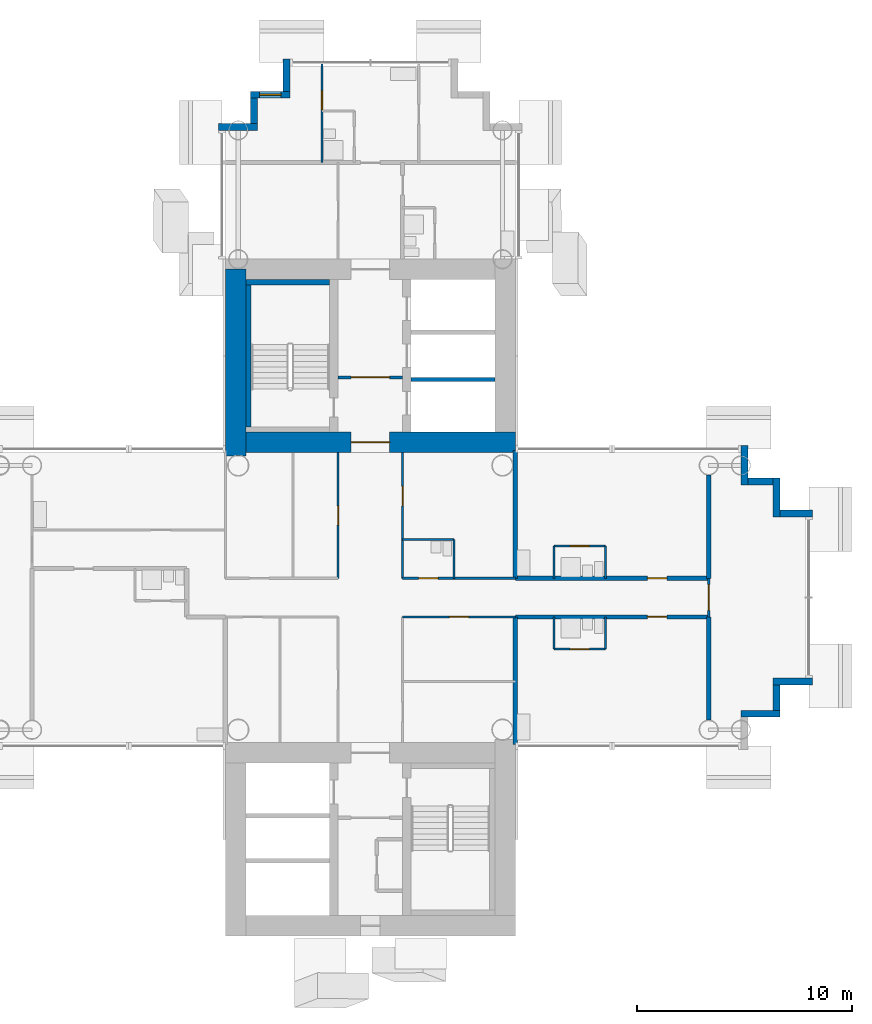
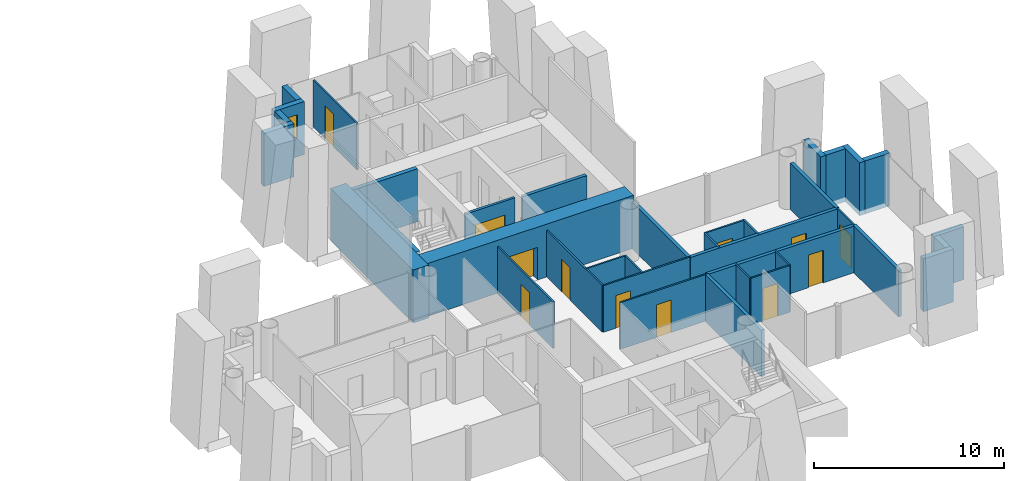
# One storey, part 13 of 21: 37 walls, 12 doors, 1 window, 13 openings.
"""IFC4 building model written with IfcOpenShell, lengths in metres."""

from ifc_helpers import new_model, si_unit, direction, frame, frame_2d, origin, place, context, subcontext, project, spatial, rectangle, extrude, material, layer, layer_set, type_object, element, fill, save


model = new_model("IFC4")

# Units and contexts
model_context = context("Model", 3, precision=1e-05, world=origin(), true_north=direction((0.0, 1.0)))
body_context = subcontext(model_context, "Body", "Model", "MODEL_VIEW")
ifc_project = project(units=[si_unit("LENGTHUNIT", "METRE"), si_unit("AREAUNIT", "SQUARE_METRE"), si_unit("VOLUMEUNIT", "CUBIC_METRE"), si_unit("PLANEANGLEUNIT", "RADIAN"), si_unit("MASSUNIT", "GRAM", prefix="KILO")], contexts=[model_context])

# Site, building, storey
site_placement = place(None, origin())
site = spatial("IfcSite", under=ifc_project, at=site_placement, CompositionType="ELEMENT")
building_placement = place(site_placement, origin())
building = spatial("IfcBuilding", under=site, at=building_placement, Name="Ipe Terrace Towers", CompositionType="ELEMENT")
storey_placement = place(building_placement, frame((0.0, 0.0, 86.800048828125)))
storey = spatial("IfcBuildingStorey", under=building, at=storey_placement, Name="L23", CompositionType="ELEMENT", Elevation=86.800048828125)

# Walls
ifc_material_1 = material(Name="Concrete C40/50 with buff precast cladding", Category="concrete")
ifc_layer_1 = layer(ifc_material_1, 0.320068359375)
ifc_layer_set_1 = layer_set([ifc_layer_1], Name="BUFF CLADDING WALL 320")
wall_type_1 = type_object("IfcWallType", Name="BUFF CLADDING WALL 320", PredefinedType="STANDARD", material=ifc_layer_set_1)
wall_1_placement = place(storey_placement, frame((53.25, -5.409912109375, -0.300048828125), z_axis=(0.0, 0.0, 1.0), x_axis=(1.0, 0.0, 0.0)))
element("IfcWall", 1, at=wall_1_placement, inside=storey, type_object=wall_type_1, Name="T2-W-L23-05a wall", PredefinedType="STANDARD", context=body_context, shape_type="SweptSolid", body=[
    extrude(rectangle(XDim=1.820068359375, YDim=0.320068359375, at=frame_2d((0.91015625, 0.0))), origin(), (0.0, 0.0, 1.0), 3.39990234375),
])
wall_2_placement = place(storey_placement, frame((54.909912109375, -5.25, -0.300048828125), z_axis=(0.0, 0.0, 1.0), x_axis=(0.0, 1.0, 0.0)))
element("IfcWall", 2, at=wall_2_placement, inside=storey, type_object=wall_type_1, Name="T2-W-L23-06a wall", PredefinedType="STANDARD", context=body_context, shape_type="SweptSolid", body=[
    extrude(rectangle(XDim=1.179931640625, YDim=0.320068359375, at=frame_2d((0.58984375, 0.0))), origin(), (0.0, 0.0, 1.0), 3.39990234375),
])
wall_3_placement = place(storey_placement, frame((54.75, -3.909912109375, -0.300048828125), z_axis=(0.0, 0.0, 1.0), x_axis=(1.0, 0.0, 0.0)))
element("IfcWall", 3, at=wall_3_placement, inside=storey, type_object=wall_type_1, Name="T2-W-L23-07a wall", PredefinedType="STANDARD", context=body_context, shape_type="SweptSolid", body=[
    extrude(rectangle(XDim=1.820068359375, YDim=0.320068359375, at=frame_2d((0.91015625, 0.0))), origin(), (0.0, 0.0, 1.0), 3.39990234375),
])
wall_4_placement = place(storey_placement, frame((56.570068359375, 3.909912109375, -0.300048828125), z_axis=(0.0, 0.0, 1.0), x_axis=(-1.0, 0.0, 0.0)))
element("IfcWall", 4, at=wall_4_placement, inside=storey, type_object=wall_type_1, Name="T2-W-L23-09a wall", PredefinedType="STANDARD", context=body_context, shape_type="SweptSolid", body=[
    extrude(rectangle(XDim=1.5, YDim=0.320068359375, at=frame_2d((0.75, 0.0))), origin(), (0.0, 0.0, 1.0), 3.39990234375),
])
wall_5_placement = place(storey_placement, frame((54.909912109375, 3.75, -0.300048828125), z_axis=(0.0, 0.0, 1.0), x_axis=(0.0, 1.0, 0.0)))
element("IfcWall", 5, at=wall_5_placement, inside=storey, type_object=wall_type_1, Name="T2-W-L23-10a wall", PredefinedType="STANDARD", context=body_context, shape_type="SweptSolid", body=[
    extrude(rectangle(XDim=1.820068359375, YDim=0.320068359375, at=frame_2d((0.91015625, 0.0))), origin(), (0.0, 0.0, 1.0), 3.39990234375),
])
wall_6_placement = place(storey_placement, frame((54.75, 5.409912109375, -0.300048828125), z_axis=(0.0, 0.0, 1.0), x_axis=(-1.0, 0.0, 0.0)))
element("IfcWall", 6, at=wall_6_placement, inside=storey, type_object=wall_type_1, Name="T2-W-L23-11a wall", PredefinedType="STANDARD", context=body_context, shape_type="SweptSolid", body=[
    extrude(rectangle(XDim=1.179931640625, YDim=0.320068359375, at=frame_2d((0.58984375, 0.0))), origin(), (0.0, 0.0, 1.0), 3.39990234375),
])
wall_7_placement = place(storey_placement, frame((53.409912109375, 5.25, -0.300048828125), z_axis=(0.0, 0.0, 1.0), x_axis=(0.0, 1.0, 0.0)))
element("IfcWall", 7, at=wall_7_placement, inside=storey, type_object=wall_type_1, Name="T2-W-L23-12a wall", PredefinedType="STANDARD", context=body_context, shape_type="SweptSolid", body=[
    extrude(rectangle(XDim=1.820068359375, YDim=0.320068359375, at=frame_2d((0.91015625, 0.0))), origin(), (0.0, 0.0, 1.0), 3.39990234375),
])
wall_8_placement = place(storey_placement, frame((32.090087890625, 25.070068359375, -0.300048828125), z_axis=(0.0, 0.0, 1.0), x_axis=(0.0, -1.0, 0.0)))
element("IfcWall", 8, at=wall_8_placement, inside=storey, type_object=wall_type_1, Name="T2-W-L23-22a wall", PredefinedType="STANDARD", context=body_context, shape_type="SweptSolid", body=[
    extrude(rectangle(XDim=1.5, YDim=0.320068359375, at=frame_2d((0.75, 0.0))), origin(), (0.0, 0.0, 1.0), 3.39990234375),
])

# Wall, opening, window
wall_9_placement = place(storey_placement, frame((32.25, 23.409912109375, -0.300048828125), z_axis=(0.0, 0.0, 1.0), x_axis=(-1.0, 0.0, 0.0)))
wall_9 = element("IfcWall", 9, at=wall_9_placement, inside=storey, type_object=wall_type_1, Name="T2-W-L23-23a wall", PredefinedType="STANDARD", context=body_context, shape_type="SweptSolid", body=[
    extrude(rectangle(XDim=1.820068359375, YDim=0.320068359375, at=frame_2d((0.91015625, 0.0))), origin(), (0.0, 0.0, 1.0), 3.39990234375),
])
opening_1_placement = place(wall_9_placement, frame((0.409912109375, 0.0, 1.199951171875)))
opening_1 = element("IfcOpeningElement", 10, at=opening_1_placement, cuts=wall_9, Name="Opening T2-W-05-L23-01", PredefinedType="OPENING", context=body_context, shape_type="SweptSolid", body=[
    extrude(rectangle(XDim=1.0, YDim=1.5, at=frame_2d((0.5, 0.75))), frame((0.0, 0.169921875, 0.0), z_axis=(0.0, -1.0, 0.0), x_axis=(1.0, 0.0, 0.0)), (0.0, 0.0, 1.0), 0.340087890625),
])
ifc_material_2 = material(Name="Glass, clear laminated", Category="glass")
window_type = type_object("IfcWindowType", Name="DWELLING WINDOW 1000 x 1500", PartitioningType="SINGLE_PANEL", PredefinedType="WINDOW", material=ifc_material_2)
window_placement = place(opening_1_placement, origin())
window = element("IfcWindow", 11, at=window_placement, inside=storey, type_object=window_type, Name="W-05 window", OverallHeight=1.5, OverallWidth=1.0, PartitioningType="SINGLE_PANEL", PredefinedType="WINDOW", context=body_context, shape_type="SweptSolid", body=[
    extrude(rectangle(XDim=1.0, YDim=1.5, at=frame_2d((0.5, 0.75))), frame((0.0, 0.030029296875, 0.0), z_axis=(0.0, -1.0, 0.0), x_axis=(1.0, 0.0, 0.0)), (0.0, 0.0, 1.0), 0.06005859375),
])
fill(opening_1, window)

# Walls
wall_10_placement = place(storey_placement, frame((30.590087890625, 23.25, -0.300048828125), z_axis=(0.0, 0.0, 1.0), x_axis=(0.0, -1.0, 0.0)))
element("IfcWall", 12, at=wall_10_placement, inside=storey, type_object=wall_type_1, Name="T2-W-L23-24a wall", PredefinedType="STANDARD", context=body_context, shape_type="SweptSolid", body=[
    extrude(rectangle(XDim=1.179931640625, YDim=0.320068359375, at=frame_2d((0.58984375, 0.0))), origin(), (0.0, 0.0, 1.0), 3.39990234375),
])
wall_11_placement = place(storey_placement, frame((30.75, 21.909912109375, -0.300048828125), z_axis=(0.0, 0.0, 1.0), x_axis=(-1.0, 0.0, 0.0)))
element("IfcWall", 13, at=wall_11_placement, inside=storey, type_object=wall_type_1, Name="T2-W-L23-25a wall", PredefinedType="STANDARD", context=body_context, shape_type="SweptSolid", body=[
    extrude(rectangle(XDim=1.820068359375, YDim=0.320068359375, at=frame_2d((0.91015625, 0.0))), origin(), (0.0, 0.0, 1.0), 3.39990234375),
])

# Wall, opening, door
ifc_material_3 = material(Name="Gypsum board partition", Category="plasterboard")
ifc_layer_2 = layer(ifc_material_3, 0.10009765625)
ifc_layer_set_2 = layer_set([ifc_layer_2], Name="Gypsum board partition 100 mm")
wall_type_2 = type_object("IfcWallType", Name="Gypsum board partition 100 mm", PredefinedType="PARTITIONING", material=ifc_layer_set_2)
wall_12_placement = place(storey_placement, frame((46.949951171875, -2.39990234375, 0.0), z_axis=(0.0, 0.0, 1.0), x_axis=(-1.0, 0.0, 0.0)))
wall_12 = element("IfcWall", 14, at=wall_12_placement, inside=storey, type_object=wall_type_2, Name="Gypsum board partition T2 L23 W02", PredefinedType="PARTITIONING", context=body_context, shape_type="SweptSolid", body=[
    extrude(rectangle(XDim=2.39990234375, YDim=0.10009765625, at=frame_2d((1.199951171875, 0.0))), origin(), (0.0, 0.0, 1.0), 3.0),
])
opening_2_placement = place(wall_12_placement, frame((0.75, 0.0, 0.0)))
opening_2 = element("IfcOpeningElement", 15, at=opening_2_placement, cuts=wall_12, Name="Opening T2-Z2C-16", PredefinedType="OPENING", context=body_context, shape_type="SweptSolid", body=[
    extrude(rectangle(XDim=0.89990234375, YDim=2.10009765625, at=frame_2d((0.449951171875, 1.050048828125))), frame((0.0, 0.06005859375, 0.0), z_axis=(0.0, -1.0, 0.0), x_axis=(1.0, 0.0, 0.0)), (0.0, 0.0, 1.0), 0.1201171875),
])
ifc_material_4 = material(Name="Timber door leaf", Category="wood")
door_type_1 = type_object("IfcDoorType", Name="Bathroom door 900 x 2100", OperationType="NOTDEFINED", PredefinedType="DOOR", material=ifc_material_4)
door_1_placement = place(opening_2_placement, origin())
door_1 = element("IfcDoor", 16, at=door_1_placement, inside=storey, type_object=door_type_1, Name="Bathroom door T2-Z2C-16", OperationType="SINGLE_SWING_RIGHT", OverallHeight=2.10009765625, OverallWidth=0.89990234375, PredefinedType="DOOR", context=body_context, shape_type="SweptSolid", body=[
    extrude(rectangle(XDim=0.89990234375, YDim=2.10009765625, at=frame_2d((0.449951171875, 1.050048828125))), frame((0.0, 0.02490234375, 0.0), z_axis=(0.0, -1.0, 0.0), x_axis=(1.0, 0.0, 0.0)), (0.0, 0.0, 1.0), 0.050048828125),
])
fill(opening_2, door_1)

wall_13_placement = place(storey_placement, frame((42.75, -0.89990234375, 0.0), z_axis=(0.0, 0.0, 1.0), x_axis=(-1.0, 0.0, 0.0)))
wall_13 = element("IfcWall", 17, at=wall_13_placement, inside=storey, type_object=wall_type_2, Name="Gypsum board partition T2 L23 W03", PredefinedType="PARTITIONING", context=body_context, shape_type="SweptSolid", body=[
    extrude(rectangle(XDim=5.25, YDim=0.10009765625, at=frame_2d((2.625, 0.0))), origin(), (0.0, 0.0, 1.0), 3.0),
])
opening_3_placement = place(wall_13_placement, frame((2.175048828125, 0.0, 0.0)))
opening_3 = element("IfcOpeningElement", 18, at=opening_3_placement, cuts=wall_13, Name="Opening T2-Z2C-06", PredefinedType="OPENING", context=body_context, shape_type="SweptSolid", body=[
    extrude(rectangle(XDim=0.89990234375, YDim=2.10009765625, at=frame_2d((0.449951171875, 1.050048828125))), frame((0.0, 0.06005859375, 0.0), z_axis=(0.0, -1.0, 0.0), x_axis=(1.0, 0.0, 0.0)), (0.0, 0.0, 1.0), 0.1201171875),
])
ifc_material_5 = material(Name="Timber door leaf", Category="wood")
door_type_2 = type_object("IfcDoorType", Name="Lounge door 900 x 2100", OperationType="NOTDEFINED", PredefinedType="DOOR", material=ifc_material_5)
door_2_placement = place(opening_3_placement, origin())
door_2 = element("IfcDoor", 19, at=door_2_placement, inside=storey, type_object=door_type_2, Name="Lounge door T2-Z2C-06", OperationType="SINGLE_SWING_LEFT", OverallHeight=2.10009765625, OverallWidth=0.89990234375, PredefinedType="DOOR", context=body_context, shape_type="SweptSolid", body=[
    extrude(rectangle(XDim=0.89990234375, YDim=2.10009765625, at=frame_2d((0.449951171875, 1.050048828125))), frame((0.0, 0.02490234375, 0.0), z_axis=(0.0, -1.0, 0.0), x_axis=(1.0, 0.0, 0.0)), (0.0, 0.0, 1.0), 0.050048828125),
])
fill(opening_3, door_2)

wall_14_placement = place(storey_placement, frame((42.75, 0.89990234375, 0.0), z_axis=(0.0, 0.0, 1.0), x_axis=(-1.0, 0.0, 0.0)))
wall_14 = element("IfcWall", 20, at=wall_14_placement, inside=storey, type_object=wall_type_2, Name="Gypsum board partition T2 L23 W08", PredefinedType="PARTITIONING", context=body_context, shape_type="SweptSolid", body=[
    extrude(rectangle(XDim=5.25, YDim=0.10009765625, at=frame_2d((2.625, 0.0))), origin(), (0.0, 0.0, 1.0), 3.0),
])
opening_4_placement = place(wall_14_placement, frame((3.60009765625, 0.0, 0.0)))
opening_4 = element("IfcOpeningElement", 21, at=opening_4_placement, cuts=wall_14, Name="Opening T2-Z2C-01", PredefinedType="OPENING", context=body_context, shape_type="SweptSolid", body=[
    extrude(rectangle(XDim=0.89990234375, YDim=2.10009765625, at=frame_2d((0.449951171875, 1.050048828125))), frame((0.0, 0.06005859375, 0.0), z_axis=(0.0, -1.0, 0.0), x_axis=(1.0, 0.0, 0.0)), (0.0, 0.0, 1.0), 0.1201171875),
])
door_3_placement = place(opening_4_placement, origin())
door_3 = element("IfcDoor", 22, at=door_3_placement, inside=storey, type_object=door_type_1, Name="Bathroom door T2-Z2C-01", OperationType="SINGLE_SWING_RIGHT", OverallHeight=2.10009765625, OverallWidth=0.89990234375, PredefinedType="DOOR", context=body_context, shape_type="SweptSolid", body=[
    extrude(rectangle(XDim=0.89990234375, YDim=2.10009765625, at=frame_2d((0.449951171875, 1.050048828125))), frame((0.0, 0.02490234375, 0.0), z_axis=(0.0, -1.0, 0.0), x_axis=(1.0, 0.0, 0.0)), (0.0, 0.0, 1.0), 0.050048828125),
])
fill(opening_4, door_3)

wall_15_placement = place(storey_placement, frame((46.949951171875, 2.39990234375, 0.0), z_axis=(0.0, 0.0, 1.0), x_axis=(-1.0, 0.0, 0.0)))
wall_15 = element("IfcWall", 23, at=wall_15_placement, inside=storey, type_object=wall_type_2, Name="Gypsum board partition T2 L23 W12", PredefinedType="PARTITIONING", context=body_context, shape_type="SweptSolid", body=[
    extrude(rectangle(XDim=2.39990234375, YDim=0.10009765625, at=frame_2d((1.199951171875, 0.0))), origin(), (0.0, 0.0, 1.0), 3.0),
])
opening_5_placement = place(wall_15_placement, frame((0.75, 0.0, 0.0)))
opening_5 = element("IfcOpeningElement", 24, at=opening_5_placement, cuts=wall_15, Name="Opening T2-Z2C-14", PredefinedType="OPENING", context=body_context, shape_type="SweptSolid", body=[
    extrude(rectangle(XDim=0.89990234375, YDim=2.10009765625, at=frame_2d((0.449951171875, 1.050048828125))), frame((0.0, 0.06005859375, 0.0), z_axis=(0.0, -1.0, 0.0), x_axis=(1.0, 0.0, 0.0)), (0.0, 0.0, 1.0), 0.1201171875),
])
door_4_placement = place(opening_5_placement, origin())
door_4 = element("IfcDoor", 25, at=door_4_placement, inside=storey, type_object=door_type_1, Name="Bathroom door T2-Z2C-14", OperationType="SINGLE_SWING_LEFT", OverallHeight=2.10009765625, OverallWidth=0.89990234375, PredefinedType="DOOR", context=body_context, shape_type="SweptSolid", body=[
    extrude(rectangle(XDim=0.89990234375, YDim=2.10009765625, at=frame_2d((0.449951171875, 1.050048828125))), frame((0.0, 0.02490234375, 0.0), z_axis=(0.0, -1.0, 0.0), x_axis=(1.0, 0.0, 0.0)), (0.0, 0.0, 1.0), 0.050048828125),
])
fill(opening_5, door_4)

# Wall
wall_16_placement = place(storey_placement, frame((39.89990234375, 2.699951171875, 0.0), z_axis=(0.0, 0.0, 1.0), x_axis=(-1.0, 0.0, 0.0)))
element("IfcWall", 26, at=wall_16_placement, inside=storey, type_object=wall_type_2, Name="Gypsum board partition T2 L23 W13", PredefinedType="PARTITIONING", context=body_context, shape_type="SweptSolid", body=[
    extrude(rectangle(XDim=2.39990234375, YDim=0.10009765625, at=frame_2d((1.199951171875, 0.0))), origin(), (0.0, 0.0, 1.0), 3.0),
])

# Wall, opening, door
wall_17_placement = place(storey_placement, frame((51.75, -0.89990234375, 0.0), z_axis=(0.0, 0.0, 1.0), x_axis=(0.0, 1.0, 0.0)))
wall_17 = element("IfcWall", 27, at=wall_17_placement, inside=storey, type_object=wall_type_2, Name="Gypsum board partition T2 L23 W18", PredefinedType="PARTITIONING", context=body_context, shape_type="SweptSolid", body=[
    extrude(rectangle(XDim=1.7998046875, YDim=0.10009765625, at=frame_2d((0.89990234375, 0.0))), origin(), (0.0, 0.0, 1.0), 3.0),
])
opening_6_placement = place(wall_17_placement, frame((0.300048828125, 0.0, 0.0)))
opening_6 = element("IfcOpeningElement", 28, at=opening_6_placement, cuts=wall_17, Name="Opening T2-Z2C-17", PredefinedType="OPENING", context=body_context, shape_type="SweptSolid", body=[
    extrude(rectangle(XDim=1.199951171875, YDim=2.10009765625, at=frame_2d((0.60009765625, 1.050048828125))), frame((0.0, 0.06005859375, 0.0), z_axis=(0.0, -1.0, 0.0), x_axis=(1.0, 0.0, 0.0)), (0.0, 0.0, 1.0), 0.1201171875),
])
ifc_material_6 = material(Name="Timber door leaf", Category="wood")
door_type_3 = type_object("IfcDoorType", Name="Lounge door 1200 x 2100", OperationType="NOTDEFINED", PredefinedType="DOOR", material=ifc_material_6)
door_5_placement = place(opening_6_placement, origin())
door_5 = element("IfcDoor", 29, at=door_5_placement, inside=storey, type_object=door_type_3, Name="Lounge door T2-Z2C-17", OperationType="SINGLE_SWING_RIGHT", OverallHeight=2.10009765625, OverallWidth=1.199951171875, PredefinedType="DOOR", context=body_context, shape_type="SweptSolid", body=[
    extrude(rectangle(XDim=1.199951171875, YDim=2.10009765625, at=frame_2d((0.60009765625, 1.050048828125))), frame((0.0, 0.02490234375, 0.0), z_axis=(0.0, -1.0, 0.0), x_axis=(1.0, 0.0, 0.0)), (0.0, 0.0, 1.0), 0.050048828125),
])
fill(opening_6, door_5)

# Walls
for number, where, z_axis, x_axis, name in (
    (30, (46.949951171875, -2.39990234375, 0.0), (0.0, 0.0, 1.0), (0.0, 1.0, 0.0), "Gypsum board partition T2 L23 W21"),
    (31, (46.949951171875, 0.89990234375, 0.0), (0.0, 0.0, 1.0), (0.0, 1.0, 0.0), "Gypsum board partition T2 L23 W22"),
    (32, (44.550048828125, -2.39990234375, 0.0), (0.0, 0.0, 1.0), (0.0, 1.0, 0.0), "Gypsum board partition T2 L23 W23"),
    (33, (44.550048828125, 0.89990234375, 0.0), (0.0, 0.0, 1.0), (0.0, 1.0, 0.0), "Gypsum board partition T2 L23 W24"),
):
    element("IfcWall", number, at=place(storey_placement, frame(where, z_axis=z_axis, x_axis=x_axis)), inside=storey, type_object=wall_type_2, Name=name, PredefinedType="PARTITIONING", context=body_context, shape_type="SweptSolid", body=[
        extrude(rectangle(XDim=1.5, YDim=0.10009765625, at=frame_2d((0.75, 0.0))), origin(), (0.0, 0.0, 1.0), 3.0),
    ])
wall_18_placement = place(storey_placement, frame((39.89990234375, 0.89990234375, 0.0), z_axis=(0.0, 0.0, 1.0), x_axis=(0.0, 1.0, 0.0)))
element("IfcWall", 34, at=wall_18_placement, inside=storey, type_object=wall_type_2, Name="Gypsum board partition T2 L23 W27", PredefinedType="PARTITIONING", context=body_context, shape_type="SweptSolid", body=[
    extrude(rectangle(XDim=1.800048828125, YDim=0.10009765625, at=frame_2d((0.89990234375, 0.0))), origin(), (0.0, 0.0, 1.0), 3.0),
])

# Wall, opening, door
wall_19_placement = place(storey_placement, frame((37.5, 0.89990234375, 0.0), z_axis=(0.0, 0.0, 1.0), x_axis=(0.0, 1.0, 0.0)))
wall_19 = element("IfcWall", 35, at=wall_19_placement, inside=storey, type_object=wall_type_2, Name="Gypsum board partition T2 L23 W31", PredefinedType="PARTITIONING", context=body_context, shape_type="SweptSolid", body=[
    extrude(rectangle(XDim=5.85009765625, YDim=0.10009765625, at=frame_2d((2.925048828125, 0.0))), origin(), (0.0, 0.0, 1.0), 3.0),
])
opening_7_placement = place(wall_19_placement, frame((3.375, 0.0, 0.0)))
opening_7 = element("IfcOpeningElement", 36, at=opening_7_placement, cuts=wall_19, Name="Opening T2-Z2C-08", PredefinedType="OPENING", context=body_context, shape_type="SweptSolid", body=[
    extrude(rectangle(XDim=0.89990234375, YDim=2.10009765625, at=frame_2d((0.449951171875, 1.050048828125))), frame((0.0, 0.06005859375, 0.0), z_axis=(0.0, -1.0, 0.0), x_axis=(1.0, 0.0, 0.0)), (0.0, 0.0, 1.0), 0.1201171875),
])
door_6_placement = place(opening_7_placement, origin())
door_6 = element("IfcDoor", 37, at=door_6_placement, inside=storey, type_object=door_type_2, Name="Lounge door T2-Z2C-08", OperationType="SINGLE_SWING_RIGHT", OverallHeight=2.10009765625, OverallWidth=0.89990234375, PredefinedType="DOOR", context=body_context, shape_type="SweptSolid", body=[
    extrude(rectangle(XDim=0.89990234375, YDim=2.10009765625, at=frame_2d((0.449951171875, 1.050048828125))), frame((0.0, 0.02490234375, 0.0), z_axis=(0.0, -1.0, 0.0), x_axis=(1.0, 0.0, 0.0)), (0.0, 0.0, 1.0), 0.050048828125),
])
fill(opening_7, door_6)

wall_20_placement = place(storey_placement, frame((34.5, 0.89990234375, 0.0), z_axis=(0.0, 0.0, 1.0), x_axis=(0.0, 1.0, 0.0)))
wall_20 = element("IfcWall", 38, at=wall_20_placement, inside=storey, type_object=wall_type_2, Name="Gypsum board partition T2 L23 W35", PredefinedType="PARTITIONING", context=body_context, shape_type="SweptSolid", body=[
    extrude(rectangle(XDim=5.85009765625, YDim=0.10009765625, at=frame_2d((2.925048828125, 0.0))), origin(), (0.0, 0.0, 1.0), 3.0),
])
opening_8_placement = place(wall_20_placement, frame((2.47509765625, 0.0, 0.0)))
opening_8 = element("IfcOpeningElement", 39, at=opening_8_placement, cuts=wall_20, Name="Opening T2-Z2C-02", PredefinedType="OPENING", context=body_context, shape_type="SweptSolid", body=[
    extrude(rectangle(XDim=0.89990234375, YDim=2.10009765625, at=frame_2d((0.449951171875, 1.050048828125))), frame((0.0, 0.06005859375, 0.0), z_axis=(0.0, -1.0, 0.0), x_axis=(1.0, 0.0, 0.0)), (0.0, 0.0, 1.0), 0.1201171875),
])
door_7_placement = place(opening_8_placement, origin())
door_7 = element("IfcDoor", 40, at=door_7_placement, inside=storey, type_object=door_type_2, Name="Lounge door T2-Z2C-02", OperationType="SINGLE_SWING_LEFT", OverallHeight=2.10009765625, OverallWidth=0.89990234375, PredefinedType="DOOR", context=body_context, shape_type="SweptSolid", body=[
    extrude(rectangle(XDim=0.89990234375, YDim=2.10009765625, at=frame_2d((0.449951171875, 1.050048828125))), frame((0.0, 0.02490234375, 0.0), z_axis=(0.0, -1.0, 0.0), x_axis=(1.0, 0.0, 0.0)), (0.0, 0.0, 1.0), 0.050048828125),
])
fill(opening_8, door_7)

wall_21_placement = place(storey_placement, frame((33.75, 20.25, 0.0), z_axis=(0.0, 0.0, 1.0), x_axis=(0.0, 1.0, 0.0)))
wall_21 = element("IfcWall", 41, at=wall_21_placement, inside=storey, type_object=wall_type_2, Name="Gypsum board partition T2 L23 W37", PredefinedType="PARTITIONING", context=body_context, shape_type="SweptSolid", body=[
    extrude(rectangle(XDim=4.60009765625, YDim=0.10009765625, at=frame_2d((2.300048828125, 0.0))), origin(), (0.0, 0.0, 1.0), 3.0),
])
opening_9_placement = place(wall_21_placement, frame((2.449951171875, 0.0, 0.0)))
opening_9 = element("IfcOpeningElement", 42, at=opening_9_placement, cuts=wall_21, Name="Opening T2-Z2C-23", PredefinedType="OPENING", context=body_context, shape_type="SweptSolid", body=[
    extrude(rectangle(XDim=0.89990234375, YDim=2.10009765625, at=frame_2d((0.449951171875, 1.050048828125))), frame((0.0, 0.06005859375, 0.0), z_axis=(0.0, -1.0, 0.0), x_axis=(1.0, 0.0, 0.0)), (0.0, 0.0, 1.0), 0.1201171875),
])
ifc_material_7 = material(Name="Timber door leaf", Category="wood")
door_type_4 = type_object("IfcDoorType", Name="Bedroom door 900 x 2100", OperationType="NOTDEFINED", PredefinedType="DOOR", material=ifc_material_7)
door_8_placement = place(opening_9_placement, origin())
door_8 = element("IfcDoor", 43, at=door_8_placement, inside=storey, type_object=door_type_4, Name="Bedroom door T2-Z2C-23", OperationType="SINGLE_SWING_LEFT", OverallHeight=2.10009765625, OverallWidth=0.89990234375, PredefinedType="DOOR", context=body_context, shape_type="SweptSolid", body=[
    extrude(rectangle(XDim=0.89990234375, YDim=2.10009765625, at=frame_2d((0.449951171875, 1.050048828125))), frame((0.0, 0.02490234375, 0.0), z_axis=(0.0, -1.0, 0.0), x_axis=(1.0, 0.0, 0.0)), (0.0, 0.0, 1.0), 0.050048828125),
])
fill(opening_9, door_8)

ifc_material_8 = material(Name="Gypsum board partition", Category="plasterboard")
ifc_layer_3 = layer(ifc_material_8, 0.14990234375)
ifc_layer_set_3 = layer_set([ifc_layer_3], Name="Gypsum board partition 150 mm")
wall_type_3 = type_object("IfcWallType", Name="Gypsum board partition 150 mm", PredefinedType="PARTITIONING", material=ifc_layer_set_3)
wall_22_placement = place(storey_placement, frame((37.5, 10.25, 0.0), z_axis=(0.0, 0.0, 1.0), x_axis=(-1.0, 0.0, 0.0)))
wall_22 = element("IfcWall", 44, at=wall_22_placement, inside=storey, type_object=wall_type_3, Name="Gypsum board partition T2 L23 t2c1-lobby-wall", PredefinedType="PARTITIONING", context=body_context, shape_type="SweptSolid", body=[
    extrude(rectangle(XDim=3.0, YDim=0.14990234375, at=frame_2d((1.5, 0.0))), origin(), (0.0, 0.0, 1.0), 3.0),
])
opening_10_placement = place(wall_22_placement, frame((0.60009765625, 0.0, 0.0)))
opening_10 = element("IfcOpeningElement", 45, at=opening_10_placement, cuts=wall_22, Name="Opening T2C1-VD", PredefinedType="OPENING", context=body_context, shape_type="SweptSolid", body=[
    extrude(rectangle(XDim=1.800048828125, YDim=2.10009765625, at=frame_2d((0.89990234375, 1.050048828125))), frame((0.0, 0.0849609375, 0.0), z_axis=(0.0, -1.0, 0.0), x_axis=(1.0, 0.0, 0.0)), (0.0, 0.0, 1.0), 0.169921875),
])
ifc_material_9 = material(Name="Fire-rated timber door leaf", Category="wood")
door_type_5 = type_object("IfcDoorType", Name="Lobby door 1800 x 2100 FD60", OperationType="NOTDEFINED", PredefinedType="DOOR", material=ifc_material_9)
door_9_placement = place(opening_10_placement, origin())
door_9 = element("IfcDoor", 46, at=door_9_placement, inside=storey, type_object=door_type_5, Name="Lobby door T2C1-VD", OperationType="SINGLE_SWING_LEFT", OverallHeight=2.10009765625, OverallWidth=1.800048828125, PredefinedType="DOOR", context=body_context, shape_type="SweptSolid", body=[
    extrude(rectangle(XDim=1.800048828125, YDim=2.10009765625, at=frame_2d((0.89990234375, 1.050048828125))), frame((0.0, 0.02490234375, 0.0), z_axis=(0.0, -1.0, 0.0), x_axis=(1.0, 0.0, 0.0)), (0.0, 0.0, 1.0), 0.050048828125),
])
fill(opening_10, door_9)

# Wall
ifc_material_10 = material(Name="Gypsum board party wall", Category="plasterboard")
ifc_layer_4 = layer(ifc_material_10, 0.199951171875)
ifc_layer_set_4 = layer_set([ifc_layer_4], Name="Gypsum board party wall 200 mm")
wall_type_4 = type_object("IfcWallType", Name="Gypsum board party wall 200 mm", PredefinedType="SOLIDWALL", material=ifc_layer_set_4)
wall_23_placement = place(storey_placement, frame((41.800048828125, 10.14990234375, 0.0), z_axis=(0.0, 0.0, 1.0), x_axis=(-1.0, 0.0, 0.0)))
element("IfcWall", 47, at=wall_23_placement, inside=storey, type_object=wall_type_4, Name="Gypsum board party wall T2 L23 t2c1-shaft-div1", PredefinedType="SOLIDWALL", context=body_context, shape_type="SweptSolid", body=[
    extrude(rectangle(XDim=3.900146484375, YDim=0.199951171875, at=frame_2d((1.9501953125, 0.0))), origin(), (0.0, 0.0, 1.0), 3.0),
])

# Wall, opening, door
wall_24_placement = place(storey_placement, frame((51.75, -0.89990234375, 0.0), z_axis=(0.0, 0.0, 1.0), x_axis=(-1.0, 0.0, 0.0)))
wall_24 = element("IfcWall", 48, at=wall_24_placement, inside=storey, type_object=wall_type_4, Name="Gypsum board party wall T2 L23 W05", PredefinedType="SOLIDWALL", context=body_context, shape_type="SweptSolid", body=[
    extrude(rectangle(XDim=9.0, YDim=0.199951171875, at=frame_2d((4.5, 0.0))), origin(), (0.0, 0.0, 1.0), 3.0),
])
opening_11_placement = place(wall_24_placement, frame((1.949951171875, 0.0, 0.0)))
opening_11 = element("IfcOpeningElement", 49, at=opening_11_placement, cuts=wall_24, Name="Opening T2-Z2C-15", PredefinedType="OPENING", context=body_context, shape_type="SweptSolid", body=[
    extrude(rectangle(XDim=0.89990234375, YDim=2.10009765625, at=frame_2d((0.449951171875, 1.050048828125))), frame((0.0, 0.10986328125, 0.0), z_axis=(0.0, -1.0, 0.0), x_axis=(1.0, 0.0, 0.0)), (0.0, 0.0, 1.0), 0.219970703125),
])
ifc_material_11 = material(Name="Fire-rated timber door leaf", Category="wood")
door_type_6 = type_object("IfcDoorType", Name="Flat entrance door 900 x 2100 FD30S", OperationType="NOTDEFINED", PredefinedType="DOOR", material=ifc_material_11)
door_10_placement = place(opening_11_placement, origin())
door_10 = element("IfcDoor", 50, at=door_10_placement, inside=storey, type_object=door_type_6, Name="Flat entrance door T2-Z2C-15", OperationType="SINGLE_SWING_RIGHT", OverallHeight=2.10009765625, OverallWidth=0.89990234375, PredefinedType="DOOR", context=body_context, shape_type="SweptSolid", body=[
    extrude(rectangle(XDim=0.89990234375, YDim=2.10009765625, at=frame_2d((0.449951171875, 1.050048828125))), frame((0.0, 0.02490234375, 0.0), z_axis=(0.0, -1.0, 0.0), x_axis=(1.0, 0.0, 0.0)), (0.0, 0.0, 1.0), 0.050048828125),
])
fill(opening_11, door_10)

wall_25_placement = place(storey_placement, frame((51.75, 0.89990234375, 0.0), z_axis=(0.0, 0.0, 1.0), x_axis=(-1.0, 0.0, 0.0)))
wall_25 = element("IfcWall", 51, at=wall_25_placement, inside=storey, type_object=wall_type_4, Name="Gypsum board party wall T2 L23 W10", PredefinedType="SOLIDWALL", context=body_context, shape_type="SweptSolid", body=[
    extrude(rectangle(XDim=9.0, YDim=0.199951171875, at=frame_2d((4.5, 0.0))), origin(), (0.0, 0.0, 1.0), 3.0),
])
opening_12_placement = place(wall_25_placement, frame((1.949951171875, 0.0, 0.0)))
opening_12 = element("IfcOpeningElement", 52, at=opening_12_placement, cuts=wall_25, Name="Opening T2-Z2C-13", PredefinedType="OPENING", context=body_context, shape_type="SweptSolid", body=[
    extrude(rectangle(XDim=0.89990234375, YDim=2.10009765625, at=frame_2d((0.449951171875, 1.050048828125))), frame((0.0, 0.10986328125, 0.0), z_axis=(0.0, -1.0, 0.0), x_axis=(1.0, 0.0, 0.0)), (0.0, 0.0, 1.0), 0.219970703125),
])
door_11_placement = place(opening_12_placement, origin())
door_11 = element("IfcDoor", 53, at=door_11_placement, inside=storey, type_object=door_type_6, Name="Flat entrance door T2-Z2C-13", OperationType="SINGLE_SWING_LEFT", OverallHeight=2.10009765625, OverallWidth=0.89990234375, PredefinedType="DOOR", context=body_context, shape_type="SweptSolid", body=[
    extrude(rectangle(XDim=0.89990234375, YDim=2.10009765625, at=frame_2d((0.449951171875, 1.050048828125))), frame((0.0, 0.02490234375, 0.0), z_axis=(0.0, -1.0, 0.0), x_axis=(1.0, 0.0, 0.0)), (0.0, 0.0, 1.0), 0.050048828125),
])
fill(opening_12, door_11)

# Walls
for number, where, z_axis, x_axis, name in (
    (54, (51.75, -5.699951171875, 0.0), (0.0, 0.0, 1.0), (0.0, 1.0, 0.0), "Gypsum board party wall T2 L23 W19"),
    (55, (51.75, 0.89990234375, 0.0), (0.0, 0.0, 1.0), (0.0, 1.0, 0.0), "Gypsum board party wall T2 L23 W20"),
):
    element("IfcWall", number, at=place(storey_placement, frame(where, z_axis=z_axis, x_axis=x_axis)), inside=storey, type_object=wall_type_4, Name=name, PredefinedType="SOLIDWALL", context=body_context, shape_type="SweptSolid", body=[
        extrude(rectangle(XDim=4.800048828125, YDim=0.199951171875, at=frame_2d((2.39990234375, 0.0))), origin(), (0.0, 0.0, 1.0), 3.0),
    ])
for number, where, z_axis, x_axis, name in (
    (56, (42.75, -6.85009765625, 0.0), (0.0, 0.0, 1.0), (0.0, 1.0, 0.0), "Gypsum board party wall T2 L23 W25"),
    (57, (42.75, 0.89990234375, 0.0), (0.0, 0.0, 1.0), (0.0, 1.0, 0.0), "Gypsum board party wall T2 L23 W26"),
):
    element("IfcWall", number, at=place(storey_placement, frame(where, z_axis=z_axis, x_axis=x_axis)), inside=storey, type_object=wall_type_4, Name=name, PredefinedType="SOLIDWALL", context=body_context, shape_type="SweptSolid", body=[
        extrude(rectangle(XDim=5.9501953125, YDim=0.199951171875, at=frame_2d((2.97509765625, 0.0))), origin(), (0.0, 0.0, 1.0), 3.0),
    ])
ifc_material_12 = material(Name="Concrete C50/60", Category="concrete")
ifc_layer_5 = layer(ifc_material_12, 0.25)
ifc_layer_set_5 = layer_set([ifc_layer_5], Name="RW250 CORE INFILL WALL 250 C50-60")
wall_type_5 = type_object("IfcWallType", Name="RW250 CORE INFILL WALL 250 C50-60", PredefinedType="SHEAR", material=ifc_layer_set_5)
wall_26_placement = place(storey_placement, frame((34.10009765625, 14.675048828125, 0.0), z_axis=(0.0, 0.0, 1.0), x_axis=(-1.0, 0.0, 0.0)))
element("IfcWall", 58, at=wall_26_placement, inside=storey, type_object=wall_type_5, Name="Core infill wall T2-C1-far", PredefinedType="SHEAR", context=body_context, shape_type="SweptSolid", body=[
    extrude(rectangle(XDim=3.900146484375, YDim=0.25, at=frame_2d((1.9501953125, 0.0))), origin(), (0.0, 0.0, 1.0), 3.39990234375),
])
wall_27_placement = place(storey_placement, frame((30.324951171875, 7.949951171875, 0.0), z_axis=(0.0, 0.0, 1.0), x_axis=(0.0, 1.0, 0.0)))
element("IfcWall", 59, at=wall_27_placement, inside=storey, type_object=wall_type_5, Name="Core infill wall T2-C1-back", PredefinedType="SHEAR", context=body_context, shape_type="SweptSolid", body=[
    extrude(rectangle(XDim=6.60009765625, YDim=0.25, at=frame_2d((3.300048828125, 0.0))), origin(), (0.0, 0.0, 1.0), 3.39990234375),
])

# Wall, opening, door
ifc_material_13 = material(Name="Concrete C50/60", Category="concrete")
ifc_layer_6 = layer(ifc_material_13, 0.949951171875)
ifc_layer_set_6 = layer_set([ifc_layer_6], Name="RW950 CORE WALL 950 C50-60")
wall_type_6 = type_object("IfcWallType", Name="RW950 CORE WALL 950 C50-60", PredefinedType="SHEAR", material=ifc_layer_set_6)
wall_28_placement = place(storey_placement, frame((30.199951171875, 7.22509765625, 0.0), z_axis=(0.0, 0.0, 1.0), x_axis=(1.0, 0.0, 0.0)))
wall_28 = element("IfcWall", 60, at=wall_28_placement, inside=storey, type_object=wall_type_6, Name="Core wall T2-C1-Z2-W01", PredefinedType="SHEAR", context=body_context, shape_type="SweptSolid", body=[
    extrude(rectangle(XDim=12.550048828125, YDim=0.949951171875, at=frame_2d((6.27490234375, 0.0))), origin(), (0.0, 0.0, 1.0), 3.39990234375),
])
opening_13_placement = place(wall_28_placement, frame((4.89990234375, 0.0, 0.0)))
opening_13 = element("IfcOpeningElement", 61, at=opening_13_placement, cuts=wall_28, Name="Opening T2C1-ND", PredefinedType="OPENING", context=body_context, shape_type="SweptSolid", body=[
    extrude(rectangle(XDim=1.800048828125, YDim=2.10009765625, at=frame_2d((0.89990234375, 1.050048828125))), frame((0.0, 0.48486328125, 0.0), z_axis=(0.0, -1.0, 0.0), x_axis=(1.0, 0.0, 0.0)), (0.0, 0.0, 1.0), 0.969970703125),
])
ifc_material_14 = material(Name="Fire-rated timber door leaf", Category="wood")
door_type_7 = type_object("IfcDoorType", Name="Fire door 1800 x 2100 FD30S", OperationType="NOTDEFINED", PredefinedType="DOOR", material=ifc_material_14)
door_12_placement = place(opening_13_placement, origin())
door_12 = element("IfcDoor", 62, at=door_12_placement, inside=storey, type_object=door_type_7, Name="Fire door T2C1-ND", OperationType="SINGLE_SWING_LEFT", OverallHeight=2.10009765625, OverallWidth=1.800048828125, PredefinedType="DOOR", context=body_context, shape_type="SweptSolid", body=[
    extrude(rectangle(XDim=1.800048828125, YDim=2.10009765625, at=frame_2d((0.89990234375, 1.050048828125))), frame((0.0, 0.02490234375, 0.0), z_axis=(0.0, -1.0, 0.0), x_axis=(1.0, 0.0, 0.0)), (0.0, 0.0, 1.0), 0.050048828125),
])
fill(opening_13, door_12)

# Wall
wall_29_placement = place(storey_placement, frame((29.72509765625, 15.298095703125, 0.0), z_axis=(0.0, 0.0, 1.0), x_axis=(0.0, -1.0, 0.0)))
element("IfcWall", 63, at=wall_29_placement, inside=storey, type_object=wall_type_6, Name="Core wall T2-C1-Z2-W04", PredefinedType="SHEAR", context=body_context, shape_type="SweptSolid", body=[
    extrude(rectangle(XDim=8.696044921875, YDim=0.949951171875, at=frame_2d((4.34814453125, 0.0))), origin(), (0.0, 0.0, 1.0), 3.39990234375),
])

save(model, "model.ifc")
